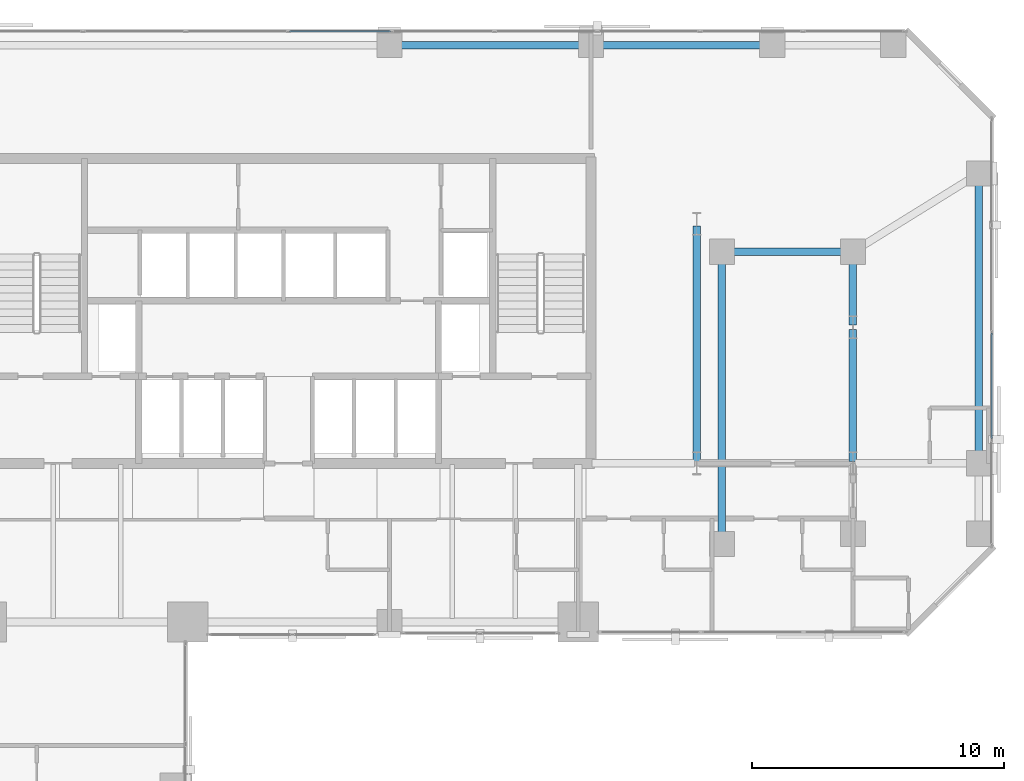
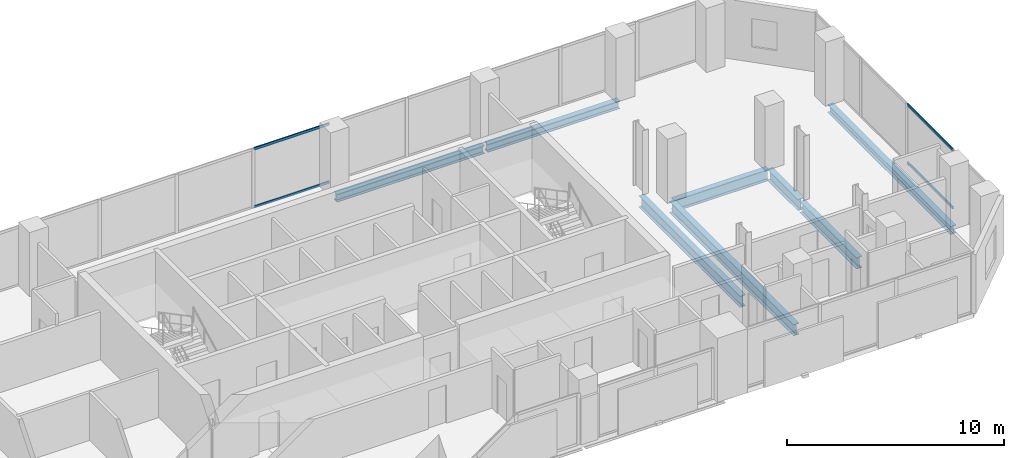
# One storey, part 22 of 31: 8 beams, 4 members, 2 elements without a shape of their own.
"""IFC4 building model written with IfcOpenShell, lengths in metres."""

from ifc_helpers import new_model, si_unit, direction, frame, origin, origin_2d, place, context, subcontext, project, spatial, hollow_rectangle, i_section, extrude, material, layer, layer_set, material_profile, profile_set, type_object, element, aggregate, save


model = new_model("IFC4")

# Units and contexts
model_context = context("Model", 3, precision=1e-05, world=origin(), true_north=direction((0.0, 1.0)))
body_context = subcontext(model_context, "Body", "Model", "MODEL_VIEW")
ifc_project = project(units=[si_unit("LENGTHUNIT", "METRE"), si_unit("AREAUNIT", "SQUARE_METRE"), si_unit("VOLUMEUNIT", "CUBIC_METRE"), si_unit("PLANEANGLEUNIT", "RADIAN"), si_unit("MASSUNIT", "GRAM", prefix="KILO")], contexts=[model_context])

# Site, building, storey
site_placement = place(None, origin())
site = spatial("IfcSite", under=ifc_project, at=site_placement, CompositionType="ELEMENT")
building_placement = place(site_placement, origin())
building = spatial("IfcBuilding", under=site, at=building_placement, Name="Catumbela Crestline Tower", CompositionType="ELEMENT")
storey_placement = place(building_placement, frame((0.0, 0.0, 25.8)))
storey = spatial("IfcBuildingStorey", under=building, at=storey_placement, Name="L05", CompositionType="ELEMENT", Elevation=25.8)

# Beams
ifc_material_1 = material(Name="Structural steel S355J2", Category="steel")
ifc_material_profile_1 = material_profile(ifc_material_1, i_section(OverallWidth=0.3, OverallDepth=0.64, WebThickness=0.0135, FlangeThickness=0.026, FilletRadius=0.027, at=origin_2d()), Name="HEA 650")
ifc_profile_set_1 = profile_set([ifc_material_profile_1], Name="Structural steel S355J2")
beam_type_1 = type_object("IfcBeamType", Name="BG-HEA650", PredefinedType="BEAM", material=ifc_profile_set_1)
beam_1_placement = place(storey_placement, frame((45.28, 39.2, -0.58), z_axis=(1.0, 0.0, 0.0), x_axis=(0.0, 1.0, 0.0)))
element("IfcBeam", 1, at=beam_1_placement, inside=storey, type_object=beam_type_1, Name="L05 Beam BM-L05-N17", PredefinedType="BEAM", context=body_context, shape_type="SweptSolid", body=[
    extrude(i_section(OverallWidth=0.3, OverallDepth=0.64, WebThickness=0.0135, FlangeThickness=0.026, FilletRadius=0.027, at=origin_2d()), origin(), (0.0, 0.0, 1.0), 5.04),
])
beam_2_placement = place(storey_placement, frame((44.2, 30.88, -0.58), z_axis=(0.0, 1.0, 0.0), x_axis=(-1.0, 0.0, 0.0)))
element("IfcBeam", 2, at=beam_2_placement, inside=storey, type_object=beam_type_1, Name="L05 Beam BM-L05-SN35", PredefinedType="BEAM", context=body_context, shape_type="SweptSolid", body=[
    extrude(i_section(OverallWidth=0.3, OverallDepth=0.64, WebThickness=0.0135, FlangeThickness=0.026, FilletRadius=0.027, at=origin_2d()), origin(), (0.0, 0.0, 1.0), 9.34),
])
beam_3_placement = place(storey_placement, frame((45.2, 27.68, -0.58), z_axis=(0.0, 1.0, 0.0), x_axis=(-1.0, 0.0, 0.0)))
element("IfcBeam", 3, at=beam_3_placement, inside=storey, type_object=beam_type_1, Name="L05 Beam BM-L05-SN36", PredefinedType="BEAM", context=body_context, shape_type="SweptSolid", body=[
    extrude(i_section(OverallWidth=0.3, OverallDepth=0.64, WebThickness=0.0135, FlangeThickness=0.026, FilletRadius=0.027, at=origin_2d()), origin(), (0.0, 0.0, 1.0), 11.44),
])
beam_4_placement = place(storey_placement, frame((50.4, 30.88, -0.58), z_axis=(0.0, 1.0, 0.0), x_axis=(-1.0, 0.0, 0.0)))
element("IfcBeam", 4, at=beam_4_placement, inside=storey, type_object=beam_type_1, Name="L05 Beam BM-L05-SN38", PredefinedType="BEAM", context=body_context, shape_type="SweptSolid", body=[
    extrude(i_section(OverallWidth=0.3, OverallDepth=0.64, WebThickness=0.0135, FlangeThickness=0.026, FilletRadius=0.027, at=origin_2d()), origin(), (0.0, 0.0, 1.0), 5.24),
])
beam_5_placement = place(storey_placement, frame((50.4, 36.28, -0.58), z_axis=(0.0, 1.0, 0.0), x_axis=(-1.0, 0.0, 0.0)))
element("IfcBeam", 5, at=beam_5_placement, inside=storey, type_object=beam_type_1, Name="L05 Beam BM-L05-SN39", PredefinedType="BEAM", context=body_context, shape_type="SweptSolid", body=[
    extrude(i_section(OverallWidth=0.3, OverallDepth=0.64, WebThickness=0.0135, FlangeThickness=0.026, FilletRadius=0.027, at=origin_2d()), origin(), (0.0, 0.0, 1.0), 2.84),
])
ifc_material_profile_2 = material_profile(ifc_material_1, i_section(OverallWidth=0.3, OverallDepth=0.45, WebThickness=0.014, FlangeThickness=0.026, FilletRadius=0.027, at=origin_2d()), Name="HEB 450")
ifc_profile_set_2 = profile_set([ifc_material_profile_2], Name="Structural steel S355J2")
beam_type_2 = type_object("IfcBeamType", Name="BS-HEB450", PredefinedType="SPANDREL", material=ifc_profile_set_2)
beam_6_placement = place(storey_placement, frame((32.08, 47.4, -0.485), z_axis=(1.0, 0.0, 0.0), x_axis=(0.0, 1.0, 0.0)))
element("IfcBeam", 6, at=beam_6_placement, inside=storey, type_object=beam_type_2, Name="L05 Spandrel SP-L05-NF22", PredefinedType="SPANDREL", context=body_context, shape_type="SweptSolid", body=[
    extrude(i_section(OverallWidth=0.3, OverallDepth=0.45, WebThickness=0.014, FlangeThickness=0.026, FilletRadius=0.027, at=origin_2d()), origin(), (0.0, 0.0, 1.0), 7.84),
])
beam_7_placement = place(storey_placement, frame((40.08, 47.4, -0.485), z_axis=(1.0, 0.0, 0.0), x_axis=(0.0, 1.0, 0.0)))
element("IfcBeam", 7, at=beam_7_placement, inside=storey, type_object=beam_type_2, Name="L05 Spandrel SP-L05-NF23", PredefinedType="SPANDREL", context=body_context, shape_type="SweptSolid", body=[
    extrude(i_section(OverallWidth=0.3, OverallDepth=0.45, WebThickness=0.014, FlangeThickness=0.026, FilletRadius=0.027, at=origin_2d()), origin(), (0.0, 0.0, 1.0), 7.04),
])
beam_8_placement = place(storey_placement, frame((55.4, 30.88, -0.485), z_axis=(0.0, 1.0, 0.0), x_axis=(-1.0, 0.0, 0.0)))
element("IfcBeam", 8, at=beam_8_placement, inside=storey, type_object=beam_type_2, Name="L05 Spandrel SP-L05-SN41", PredefinedType="SPANDREL", context=body_context, shape_type="SweptSolid", body=[
    extrude(i_section(OverallWidth=0.3, OverallDepth=0.45, WebThickness=0.014, FlangeThickness=0.026, FilletRadius=0.027, at=origin_2d()), origin(), (0.0, 0.0, 1.0), 11.34),
])

# Curtain wall, members
ifc_material_2 = material(Name="Aluminium alloy AW-6060-T66", Category="aluminium")
ifc_layer = layer(ifc_material_2, 0.18, Name="Aluminium alloy AW-6060-T66")
ifc_layer_set = layer_set([ifc_layer], Name="Aluminium alloy AW-6060-T66")
curtain_wall_type = type_object("IfcCurtainWallType", Name="CWU-Z1", PredefinedType="USERDEFINED", material=ifc_layer_set)
curtain_wall_1_placement = place(storey_placement, origin())
curtain_wall_1 = element("IfcCurtainWall", 9, at=curtain_wall_1_placement, inside=storey, type_object=curtain_wall_type, Name="L05 Unitised Curtain Wall CW-L05-E5S1", ObjectType="UNITISED", PredefinedType="USERDEFINED")
ifc_material_profile_3 = material_profile(ifc_material_2, hollow_rectangle(XDim=0.06, YDim=0.14, WallThickness=0.004, at=origin_2d()), Name="ALU 140x60x4")
ifc_profile_set_3 = profile_set([ifc_material_profile_3], Name="Aluminium alloy AW-6060-T66")
member_type = type_object("IfcMemberType", Name="TRN-140X60", PredefinedType="USERDEFINED", material=ifc_profile_set_3)
member_1_placement = place(storey_placement, frame((55.9, 31.7825, 0.03), z_axis=(0.0, 1.0, 0.0), x_axis=(-1.0, 0.0, 0.0)))
member_1 = element("IfcMember", 10, at=member_1_placement, type_object=member_type, Name="CWU-Z1 transom 2.1", ObjectType="TRANSOM", PredefinedType="USERDEFINED", context=body_context, shape_type="SweptSolid", body=[
    extrude(hollow_rectangle(XDim=0.06, YDim=0.14, WallThickness=0.004, at=origin_2d()), origin(), (0.0, 0.0, 1.0), 4.185),
])
member_2_placement = place(storey_placement, frame((55.9, 31.7825, 3.3), z_axis=(0.0, 1.0, 0.0), x_axis=(-1.0, 0.0, 0.0)))
member_2 = element("IfcMember", 11, at=member_2_placement, type_object=member_type, Name="CWU-Z1 transom 2.2", ObjectType="TRANSOM", PredefinedType="USERDEFINED", context=body_context, shape_type="SweptSolid", body=[
    extrude(hollow_rectangle(XDim=0.06, YDim=0.14, WallThickness=0.004, at=origin_2d()), origin(), (0.0, 0.0, 1.0), 4.185),
])
aggregate(curtain_wall_1, [member_1, member_2])

curtain_wall_2_placement = place(storey_placement, origin())
curtain_wall_2 = element("IfcCurtainWall", 12, at=curtain_wall_2_placement, inside=storey, type_object=curtain_wall_type, Name="L05 Unitised Curtain Wall CW-L05-E7S1", ObjectType="UNITISED", PredefinedType="USERDEFINED")
member_3_placement = place(storey_placement, frame((32.0508, 47.95, 0.03), z_axis=(-1.0, 0.0, 0.0), x_axis=(0.0, -1.0, 0.0)))
member_3 = element("IfcMember", 13, at=member_3_placement, type_object=member_type, Name="CWU-Z1 transom 6.1", ObjectType="TRANSOM", PredefinedType="USERDEFINED", context=body_context, shape_type="SweptSolid", body=[
    extrude(hollow_rectangle(XDim=0.06, YDim=0.14, WallThickness=0.004, at=origin_2d()), origin(), (0.0, 0.0, 1.0), 4.0183),
])
member_4_placement = place(storey_placement, frame((32.0508, 47.95, 3.3), z_axis=(-1.0, 0.0, 0.0), x_axis=(0.0, -1.0, 0.0)))
member_4 = element("IfcMember", 14, at=member_4_placement, type_object=member_type, Name="CWU-Z1 transom 6.2", ObjectType="TRANSOM", PredefinedType="USERDEFINED", context=body_context, shape_type="SweptSolid", body=[
    extrude(hollow_rectangle(XDim=0.06, YDim=0.14, WallThickness=0.004, at=origin_2d()), origin(), (0.0, 0.0, 1.0), 4.0183),
])
aggregate(curtain_wall_2, [member_3, member_4])

save(model, "model.ifc")
